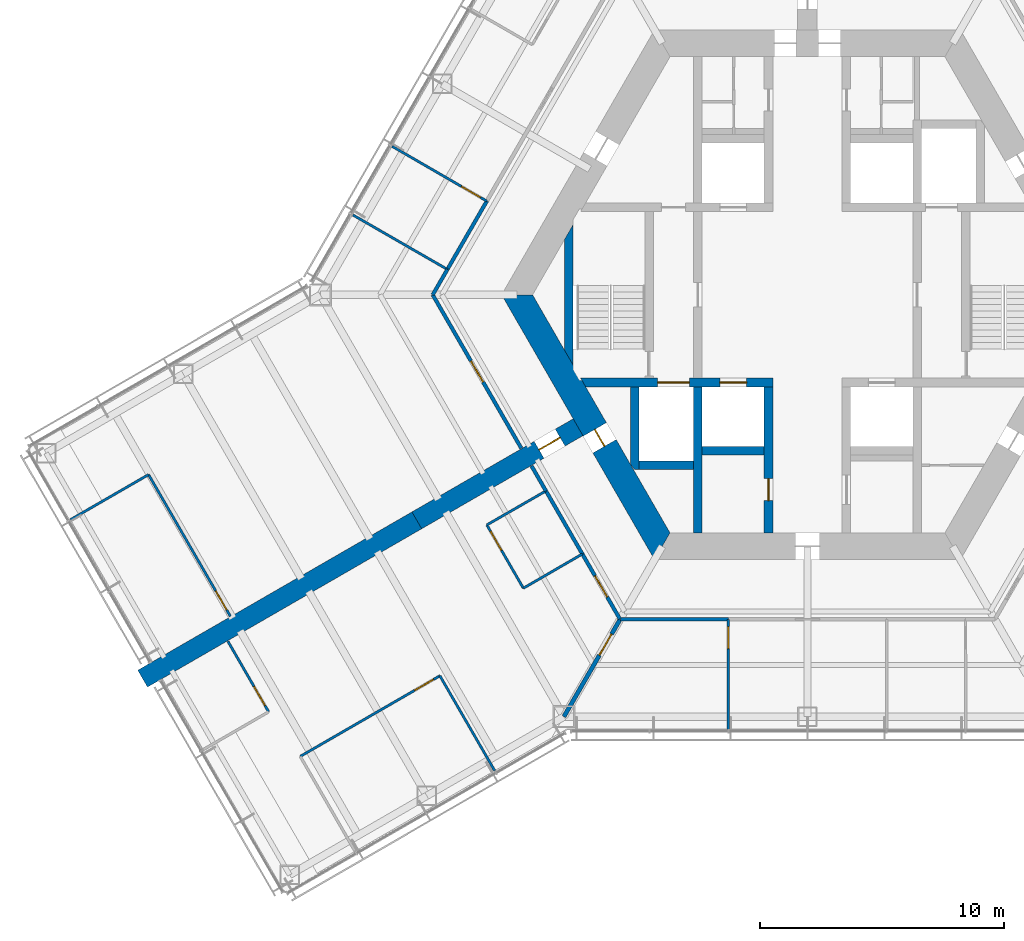
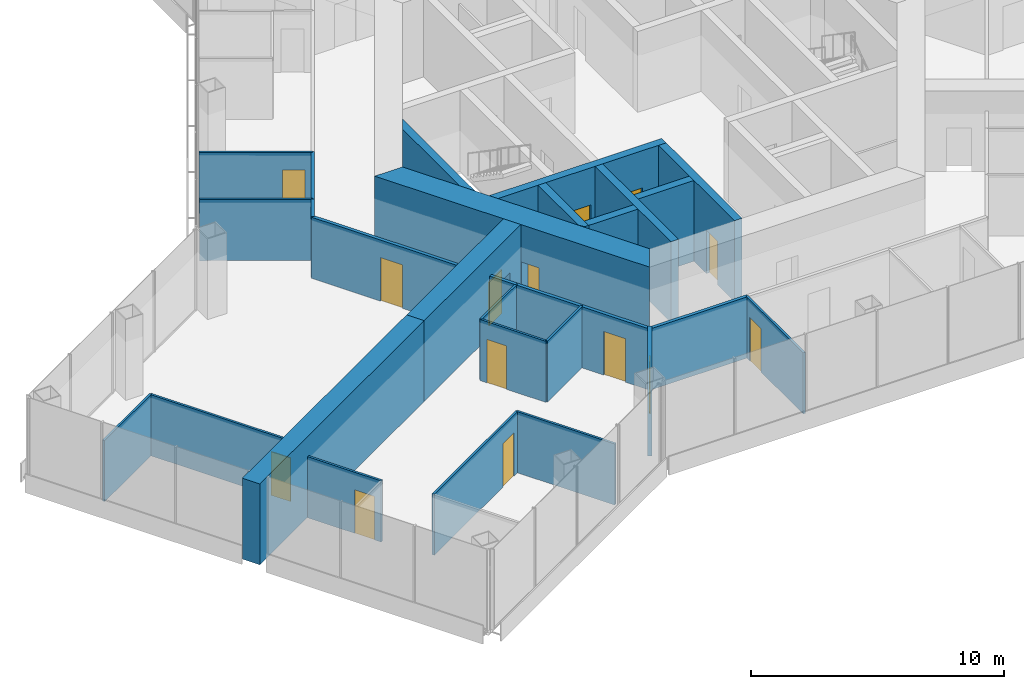
# One storey, part 12 of 19: 29 walls, 14 doors, 14 openings.
"""IFC4 building model written with IfcOpenShell, lengths in metres."""

from ifc_helpers import new_model, si_unit, direction, frame, frame_2d, origin, place, context, subcontext, project, spatial, polyline, rectangle, outline, extrude, material, layer, layer_set, type_object, element, fill, save


model = new_model("IFC4")

# Units and contexts
model_context = context("Model", 3, precision=1e-05, world=origin(), true_north=direction((0.0, 1.0)))
body_context = subcontext(model_context, "Body", "Model", "MODEL_VIEW")
ifc_project = project(units=[si_unit("LENGTHUNIT", "METRE"), si_unit("AREAUNIT", "SQUARE_METRE"), si_unit("VOLUMEUNIT", "CUBIC_METRE"), si_unit("PLANEANGLEUNIT", "RADIAN"), si_unit("MASSUNIT", "GRAM", prefix="KILO")], contexts=[model_context])

# Site, building, storey
site_placement = place(None, origin())
site = spatial("IfcSite", under=ifc_project, at=site_placement, CompositionType="ELEMENT")
building_placement = place(site_placement, origin())
building = spatial("IfcBuilding", under=site, at=building_placement, Name="Kasaneha Research Tower", CompositionType="ELEMENT")
storey_placement = place(building_placement, frame((0.0, 0.0, 88.5)))
storey = spatial("IfcBuildingStorey", under=building, at=storey_placement, Name="L22", CompositionType="ELEMENT", Elevation=88.5)

# Wall, openings, doors
ifc_material_1 = material(Name="Concrete Fc80", Category="concrete")
ifc_layer_1 = layer(ifc_material_1, 0.35009765625)
ifc_layer_set_1 = layer_set([ifc_layer_1], Name="Core internal wall 350 Fc80")
wall_type_1 = type_object("IfcWallType", Name="Core internal wall 350 Fc80", PredefinedType="SHEAR", material=ifc_layer_set_1)
wall_1_placement = place(storey_placement, frame((-9.208740234375, -3.60009765625, 0.0), z_axis=(0.0, 0.0, 1.0), x_axis=(1.0, 0.0, 0.0)))
wall_1 = element("IfcWall", 1, at=wall_1_placement, inside=storey, type_object=wall_type_1, Name="Core wall W2W L22", PredefinedType="SHEAR", context=body_context, shape_type="SweptSolid", body=[
    extrude(outline(polyline([(0.10107421875, -0.175048828125), (3.058837890625, -0.175048828125), (4.35888671875, -0.175048828125), (5.608642578125, -0.175048828125), (6.708740234375, -0.175048828125), (7.78369140625, -0.175048828125), (7.78369140625, 0.175048828125), (6.708740234375, 0.175048828125), (5.608642578125, 0.175048828125), (4.35888671875, 0.175048828125), (3.058837890625, 0.175048828125), (-0.10107421875, 0.175048828125), (0.10107421875, -0.175048828125)])), origin(), (0.0, 0.0, 1.0), 3.89990234375),
])
opening_1_placement = place(wall_1_placement, frame((5.608642578125, 0.0, 0.0)))
opening_1 = element("IfcOpeningElement", 2, at=opening_1_placement, cuts=wall_1, Name="Opening LD-LO2-L22", PredefinedType="OPENING", context=body_context, shape_type="SweptSolid", body=[
    extrude(rectangle(XDim=1.10009765625, YDim=2.10009765625, at=frame_2d((0.550048828125, 1.050048828125))), frame((0.0, 0.18505859375, 0.0), z_axis=(0.0, -1.0, 0.0), x_axis=(1.0, 0.0, 0.0)), (0.0, 0.0, 1.0), 0.3701171875),
])
opening_2_placement = place(wall_1_placement, frame((3.058837890625, 0.0, 0.0)))
opening_2 = element("IfcOpeningElement", 3, at=opening_2_placement, cuts=wall_1, Name="Opening LD-FL2-L22", PredefinedType="OPENING", context=body_context, shape_type="SweptSolid", body=[
    extrude(rectangle(XDim=1.300048828125, YDim=2.10009765625, at=frame_2d((0.64990234375, 1.050048828125))), frame((0.0, 0.18505859375, 0.0), z_axis=(0.0, -1.0, 0.0), x_axis=(1.0, 0.0, 0.0)), (0.0, 0.0, 1.0), 0.3701171875),
])
ifc_material_2 = material(Name="Steel", Category="steel")
door_type_1 = type_object("IfcDoorType", Name="Lift landing door 1100x2100", OperationType="DOUBLE_DOOR_SLIDING", PredefinedType="DOOR", material=ifc_material_2)
door_1_placement = place(opening_1_placement, origin())
door_1 = element("IfcDoor", 4, at=door_1_placement, inside=storey, type_object=door_type_1, Name="Landing door LO2 LD-LO2-L22", OperationType="DOUBLE_DOOR_SLIDING", OverallHeight=2.10009765625, OverallWidth=1.10009765625, PredefinedType="DOOR", context=body_context, shape_type="SweptSolid", body=[
    extrude(rectangle(XDim=1.10009765625, YDim=2.10009765625, at=frame_2d((0.550048828125, 1.050048828125))), frame((0.0, 0.02490234375, 0.0), z_axis=(0.0, -1.0, 0.0), x_axis=(1.0, 0.0, 0.0)), (0.0, 0.0, 1.0), 0.050048828125),
])
fill(opening_1, door_1)
ifc_material_3 = material(Name="Steel", Category="steel")
door_type_2 = type_object("IfcDoorType", Name="Lift landing door 1300x2100", OperationType="DOUBLE_DOOR_SLIDING", PredefinedType="DOOR", material=ifc_material_3)
door_2_placement = place(opening_2_placement, origin())
door_2 = element("IfcDoor", 5, at=door_2_placement, inside=storey, type_object=door_type_2, Name="Landing door FL2 LD-FL2-L22", OperationType="DOUBLE_DOOR_SLIDING", OverallHeight=2.10009765625, OverallWidth=1.300048828125, PredefinedType="DOOR", context=body_context, shape_type="SweptSolid", body=[
    extrude(rectangle(XDim=1.300048828125, YDim=2.10009765625, at=frame_2d((0.64990234375, 1.050048828125))), frame((0.0, 0.02490234375, 0.0), z_axis=(0.0, -1.0, 0.0), x_axis=(1.0, 0.0, 0.0)), (0.0, 0.0, 1.0), 0.050048828125),
])
fill(opening_2, door_2)

# Wall, opening, door
wall_2_placement = place(storey_placement, frame((-1.60009765625, -3.77490234375, 0.0), z_axis=(0.0, 0.0, 1.0), x_axis=(0.0, -1.0, 0.0)))
wall_2 = element("IfcWall", 6, at=wall_2_placement, inside=storey, type_object=wall_type_1, Name="Core wall CSW L22", PredefinedType="SHEAR", context=body_context, shape_type="SweptSolid", body=[
    extrude(rectangle(XDim=6.0, YDim=0.35009765625, at=frame_2d((3.0, 0.0))), origin(), (0.0, 0.0, 1.0), 3.89990234375),
])
opening_3_placement = place(wall_2_placement, frame((3.77490234375, 0.0, 0.0)))
opening_3 = element("IfcOpeningElement", 7, at=opening_3_placement, cuts=wall_2, Name="Opening L22-D16", PredefinedType="OPENING", context=body_context, shape_type="SweptSolid", body=[
    extrude(rectangle(XDim=0.89990234375, YDim=2.10009765625, at=frame_2d((0.449951171875, 1.050048828125))), frame((0.0, 0.18505859375, 0.0), z_axis=(0.0, -1.0, 0.0), x_axis=(1.0, 0.0, 0.0)), (0.0, 0.0, 1.0), 0.3701171875),
])
ifc_material_4 = material(Name="Steel", Category="steel")
door_type_3 = type_object("IfcDoorType", Name="Riser access door FD60 900x2100", OperationType="NOTDEFINED", PredefinedType="DOOR", material=ifc_material_4)
door_3_placement = place(opening_3_placement, origin())
door_3 = element("IfcDoor", 8, at=door_3_placement, inside=storey, type_object=door_type_3, Name="Electrical riser door L22-D16", OperationType="SINGLE_SWING_LEFT", OverallHeight=2.10009765625, OverallWidth=0.89990234375, PredefinedType="DOOR", context=body_context, shape_type="SweptSolid", body=[
    extrude(rectangle(XDim=0.89990234375, YDim=2.10009765625, at=frame_2d((0.449951171875, 1.050048828125))), frame((0.0, 0.02490234375, 0.0), z_axis=(0.0, -1.0, 0.0), x_axis=(1.0, 0.0, 0.0)), (0.0, 0.0, 1.0), 0.050048828125),
])
fill(opening_3, door_3)

# Walls
wall_3_placement = place(storey_placement, frame((-4.5, -3.77490234375, 0.0), z_axis=(0.0, 0.0, 1.0), x_axis=(0.0, -1.0, 0.0)))
element("IfcWall", 9, at=wall_3_placement, inside=storey, type_object=wall_type_1, Name="Core wall SSW L22", PredefinedType="SHEAR", context=body_context, shape_type="SweptSolid", body=[
    extrude(rectangle(XDim=6.0, YDim=0.35009765625, at=frame_2d((3.0, 0.0))), origin(), (0.0, 0.0, 1.0), 3.89990234375),
])
wall_4_placement = place(storey_placement, frame((-4.324951171875, -6.39990234375, 0.0), z_axis=(0.0, 0.0, 1.0), x_axis=(1.0, 0.0, 0.0)))
element("IfcWall", 10, at=wall_4_placement, inside=storey, type_object=wall_type_1, Name="Core wall S1S L22", PredefinedType="SHEAR", context=body_context, shape_type="SweptSolid", body=[
    extrude(rectangle(XDim=2.550048828125, YDim=0.35009765625, at=frame_2d((1.27490234375, 0.0))), origin(), (0.0, 0.0, 1.0), 3.89990234375),
])
wall_5_placement = place(storey_placement, frame((-6.925048828125, -7.0, 0.0), z_axis=(0.0, 0.0, 1.0), x_axis=(1.0, 0.0, 0.0)))
element("IfcWall", 11, at=wall_5_placement, inside=storey, type_object=wall_type_1, Name="Core wall F2S L22", PredefinedType="SHEAR", context=body_context, shape_type="SweptSolid", body=[
    extrude(rectangle(XDim=2.25, YDim=0.35009765625, at=frame_2d((1.125, 0.0))), origin(), (0.0, 0.0, 1.0), 3.89990234375),
])
wall_6_placement = place(storey_placement, frame((-7.10009765625, -3.77490234375, 0.0), z_axis=(0.0, 0.0, 1.0), x_axis=(0.0, -1.0, 0.0)))
element("IfcWall", 12, at=wall_6_placement, inside=storey, type_object=wall_type_1, Name="Core wall F2W L22", PredefinedType="SHEAR", context=body_context, shape_type="SweptSolid", body=[
    extrude(outline(polyline([(0.0, -0.175048828125), (3.174560546875, -0.175048828125), (3.400146484375, 0.0), (3.400146484375, 0.175048828125), (0.0, 0.175048828125), (0.0, -0.175048828125)])), origin(), (0.0, 0.0, 1.0), 3.89990234375),
])
wall_7_placement = place(storey_placement, frame((-9.807861328125, -2.562255859375, 0.0), z_axis=(0.0, 0.0, 1.0), x_axis=(0.0, 1.0, 0.0)))
element("IfcWall", 13, at=wall_7_placement, inside=storey, type_object=wall_type_1, Name="Core wall STW L22", PredefinedType="SHEAR", context=body_context, shape_type="SweptSolid", body=[
    extrude(outline(polyline([(-0.30322265625, -0.175048828125), (5.427734375, -0.175048828125), (4.8212890625, 0.175048828125), (0.30322265625, 0.175048828125), (-0.30322265625, -0.175048828125)])), origin(), (0.0, 0.0, 1.0), 3.89990234375),
])

# Wall, opening, door
ifc_material_5 = material(Name="Concrete Fc80", Category="concrete")
ifc_layer_2 = layer(ifc_material_5, 1.10009765625)
ifc_layer_set_2 = layer_set([ifc_layer_2], Name="Core wall 1100 Fc80")
wall_type_2 = type_object("IfcWallType", Name="Core wall 1100 Fc80", PredefinedType="SHEAR", material=ifc_layer_set_2)
wall_8_placement = place(storey_placement, frame((-11.92236328125, 0.0, 0.0), z_axis=(0.0, 0.0, 1.0), x_axis=(0.500004296715, -0.866022923061, 0.0)))
wall_8 = element("IfcWall", 14, at=wall_8_placement, inside=storey, type_object=wall_type_2, Name="Core wall 210 L22", PredefinedType="SHEAR", context=body_context, shape_type="SweptSolid", body=[
    extrude(outline(polyline([(-0.317626953125, -0.550048828125), (6.381103515625, -0.550048828125), (7.18115234375, -0.550048828125), (12.239990234375, -0.550048828125), (11.604736328125, 0.550048828125), (7.18115234375, 0.550048828125), (6.381103515625, 0.550048828125), (0.317626953125, 0.550048828125), (-0.317626953125, -0.550048828125)])), origin(), (0.0, 0.0, 1.0), 3.89990234375),
])
opening_4_placement = place(wall_8_placement, frame((6.381103515625, 0.0, 0.0)))
opening_4 = element("IfcOpeningElement", 15, at=opening_4_placement, cuts=wall_8, Name="Opening L22-D06", PredefinedType="OPENING", context=body_context, shape_type="SweptSolid", body=[
    extrude(rectangle(XDim=0.800048828125, YDim=2.10009765625, at=frame_2d((0.39990234375, 1.050048828125))), frame((0.0, 0.56005859375, 0.0), z_axis=(0.0, -1.0, 0.0), x_axis=(1.0, 0.0, 0.0)), (0.0, 0.0, 1.0), 1.1201171875),
])
ifc_material_6 = material(Name="Steel", Category="steel")
door_type_4 = type_object("IfcDoorType", Name="Riser access door FD60 800x2100", OperationType="NOTDEFINED", PredefinedType="DOOR", material=ifc_material_6)
door_4_placement = place(opening_4_placement, origin())
door_4 = element("IfcDoor", 16, at=door_4_placement, inside=storey, type_object=door_type_4, Name="Duct riser door L22-D06", OperationType="SINGLE_SWING_RIGHT", OverallHeight=2.10009765625, OverallWidth=0.800048828125, PredefinedType="DOOR", context=body_context, shape_type="SweptSolid", body=[
    extrude(rectangle(XDim=0.800048828125, YDim=2.10009765625, at=frame_2d((0.39990234375, 1.050048828125))), frame((0.0, 0.02490234375, 0.0), z_axis=(0.0, -1.0, 0.0), x_axis=(1.0, 0.0, 0.0)), (0.0, 0.0, 1.0), 0.050048828125),
])
fill(opening_4, door_4)

# Wall
ifc_material_7 = material(Name="Gypsum board on steel studs, one layer each side", Category="steel")
ifc_layer_3 = layer(ifc_material_7, 0.10009765625)
ifc_layer_set_3 = layer_set([ifc_layer_3], Name="Office partition 100")
wall_type_3 = type_object("IfcWallType", Name="Office partition 100", PredefinedType="PARTITIONING", material=ifc_layer_set_3)
wall_9_placement = place(storey_placement, frame((-30.258056640625, -9.232666015625, 0.0), z_axis=(0.0, 0.0, 1.0), x_axis=(0.86601746898, 0.500013743233, 0.0)))
element("IfcWall", 17, at=wall_9_placement, inside=storey, type_object=wall_type_3, Name="Office partition FBN09 L22", PredefinedType="PARTITIONING", context=body_context, shape_type="SweptSolid", body=[
    extrude(rectangle(XDim=3.7001953125, YDim=0.10009765625, at=frame_2d((1.85009765625, 0.0))), origin(), (0.0, 0.0, 1.0), 2.949951171875),
])

# Wall, opening, door
wall_10_placement = place(storey_placement, frame((-27.0537109375, -7.382568359375, 0.0), z_axis=(0.0, 0.0, 1.0), x_axis=(0.499999473313, -0.866025707867, 0.0)))
wall_10 = element("IfcWall", 18, at=wall_10_placement, inside=storey, type_object=wall_type_3, Name="Office partition FBN10 L22", PredefinedType="PARTITIONING", context=body_context, shape_type="SweptSolid", body=[
    extrude(rectangle(XDim=6.71337890625, YDim=0.10009765625, at=frame_2d((3.356689453125, 0.0))), origin(), (0.0, 0.0, 1.0), 2.949951171875),
])
opening_5_placement = place(wall_10_placement, frame((5.513427734375, 0.0, 0.0)))
opening_5 = element("IfcOpeningElement", 19, at=opening_5_placement, cuts=wall_10, Name="Opening L22-D42", PredefinedType="OPENING", context=body_context, shape_type="SweptSolid", body=[
    extrude(rectangle(XDim=0.89990234375, YDim=2.10009765625, at=frame_2d((0.449951171875, 1.050048828125))), frame((0.0, 0.06005859375, 0.0), z_axis=(0.0, -1.0, 0.0), x_axis=(1.0, 0.0, 0.0)), (0.0, 0.0, 1.0), 0.1201171875),
])
ifc_material_8 = material(Name="Timber veneer", Category="wood")
door_type_5 = type_object("IfcDoorType", Name="Office door 900x2100", OperationType="SINGLE_SWING_LEFT", PredefinedType="DOOR", material=ifc_material_8)
door_5_placement = place(opening_5_placement, origin())
door_5 = element("IfcDoor", 20, at=door_5_placement, inside=storey, type_object=door_type_5, Name="Meeting room door L22-D42", OperationType="SINGLE_SWING_RIGHT", OverallHeight=2.10009765625, OverallWidth=0.89990234375, PredefinedType="DOOR", context=body_context, shape_type="SweptSolid", body=[
    extrude(rectangle(XDim=0.89990234375, YDim=2.10009765625, at=frame_2d((0.449951171875, 1.050048828125))), frame((0.0, 0.02490234375, 0.0), z_axis=(0.0, -1.0, 0.0), x_axis=(1.0, 0.0, 0.0)), (0.0, 0.0, 1.0), 0.050048828125),
])
fill(opening_5, door_5)

# Wall
wall_11_placement = place(storey_placement, frame((-14.783935546875, 1.04345703125, 0.0), z_axis=(0.0, 0.0, 1.0), x_axis=(-0.866525943689, 0.499132035552, 0.0)))
element("IfcWall", 21, at=wall_11_placement, inside=storey, type_object=wall_type_3, Name="Office partition FBN11 L22", PredefinedType="PARTITIONING", context=body_context, shape_type="SweptSolid", body=[
    extrude(rectangle(XDim=4.4755859375, YDim=0.10009765625, at=frame_2d((2.23779296875, 0.0))), origin(), (0.0, 0.0, 1.0), 2.949951171875),
])

# Wall, opening, door
wall_12_placement = place(storey_placement, frame((-17.05615234375, 6.098876953125, 0.0), z_axis=(0.0, 0.0, 1.0), x_axis=(0.865513030745, -0.500886407891, 0.0)))
wall_12 = element("IfcWall", 22, at=wall_12_placement, inside=storey, type_object=wall_type_3, Name="Office partition FBN12 L22", PredefinedType="PARTITIONING", context=body_context, shape_type="SweptSolid", body=[
    extrude(rectangle(XDim=4.495361328125, YDim=0.10009765625, at=frame_2d((2.24755859375, 0.0))), origin(), (0.0, 0.0, 1.0), 2.949951171875),
])
opening_6_placement = place(wall_12_placement, frame((3.295654296875, 0.0, 0.0)))
opening_6 = element("IfcOpeningElement", 23, at=opening_6_placement, cuts=wall_12, Name="Opening L22-D43", PredefinedType="OPENING", context=body_context, shape_type="SweptSolid", body=[
    extrude(rectangle(XDim=0.89990234375, YDim=2.10009765625, at=frame_2d((0.449951171875, 1.050048828125))), frame((0.0, 0.06005859375, 0.0), z_axis=(0.0, -1.0, 0.0), x_axis=(1.0, 0.0, 0.0)), (0.0, 0.0, 1.0), 0.1201171875),
])
door_6_placement = place(opening_6_placement, origin())
door_6 = element("IfcDoor", 24, at=door_6_placement, inside=storey, type_object=door_type_5, Name="Project room door L22-D43", OperationType="SINGLE_SWING_RIGHT", OverallHeight=2.10009765625, OverallWidth=0.89990234375, PredefinedType="DOOR", context=body_context, shape_type="SweptSolid", body=[
    extrude(rectangle(XDim=0.89990234375, YDim=2.10009765625, at=frame_2d((0.449951171875, 1.050048828125))), frame((0.0, 0.02490234375, 0.0), z_axis=(0.0, -1.0, 0.0), x_axis=(1.0, 0.0, 0.0)), (0.0, 0.0, 1.0), 0.050048828125),
])
fill(opening_6, door_6)

wall_13_placement = place(storey_placement, frame((-20.824951171875, -18.951416015625, 0.0), z_axis=(0.0, 0.0, 1.0), x_axis=(0.866021597574, 0.500006592492, 0.0)))
wall_13 = element("IfcWall", 25, at=wall_13_placement, inside=storey, type_object=wall_type_3, Name="Office partition FBS04 L22", PredefinedType="PARTITIONING", context=body_context, shape_type="SweptSolid", body=[
    extrude(rectangle(XDim=6.61962890625, YDim=0.10009765625, at=frame_2d((3.309814453125, 0.0))), origin(), (0.0, 0.0, 1.0), 2.949951171875),
])
opening_7_placement = place(wall_13_placement, frame((5.419677734375, 0.0, 0.0)))
opening_7 = element("IfcOpeningElement", 26, at=opening_7_placement, cuts=wall_13, Name="Opening L22-D46", PredefinedType="OPENING", context=body_context, shape_type="SweptSolid", body=[
    extrude(rectangle(XDim=0.89990234375, YDim=2.10009765625, at=frame_2d((0.449951171875, 1.050048828125))), frame((0.0, 0.06005859375, 0.0), z_axis=(0.0, -1.0, 0.0), x_axis=(1.0, 0.0, 0.0)), (0.0, 0.0, 1.0), 0.1201171875),
])
door_7_placement = place(opening_7_placement, origin())
door_7 = element("IfcDoor", 27, at=door_7_placement, inside=storey, type_object=door_type_5, Name="Project room door L22-D46", OperationType="SINGLE_SWING_RIGHT", OverallHeight=2.10009765625, OverallWidth=0.89990234375, PredefinedType="DOOR", context=body_context, shape_type="SweptSolid", body=[
    extrude(rectangle(XDim=0.89990234375, YDim=2.10009765625, at=frame_2d((0.449951171875, 1.050048828125))), frame((0.0, 0.02490234375, 0.0), z_axis=(0.0, -1.0, 0.0), x_axis=(1.0, 0.0, 0.0)), (0.0, 0.0, 1.0), 0.050048828125),
])
fill(opening_7, door_7)

# Walls
wall_14_placement = place(storey_placement, frame((-15.09228515625, -15.6416015625, 0.0), z_axis=(0.0, 0.0, 1.0), x_axis=(0.499990139034, -0.866031096941, 0.0)))
element("IfcWall", 28, at=wall_14_placement, inside=storey, type_object=wall_type_3, Name="Office partition FBS06 L22", PredefinedType="PARTITIONING", context=body_context, shape_type="SweptSolid", body=[
    extrude(rectangle(XDim=4.5, YDim=0.10009765625, at=frame_2d((2.25, 0.0))), origin(), (0.0, 0.0, 1.0), 2.949951171875),
])
wall_15_placement = place(storey_placement, frame((-13.164794921875, -9.447998046875, 0.0), z_axis=(0.0, 0.0, 1.0), x_axis=(0.866855433567, 0.498559582492, 0.0)))
element("IfcWall", 29, at=wall_15_placement, inside=storey, type_object=wall_type_3, Name="Office partition FBS07 L22", PredefinedType="PARTITIONING", context=body_context, shape_type="SweptSolid", body=[
    extrude(rectangle(XDim=2.800048828125, YDim=0.10009765625, at=frame_2d((1.39990234375, 0.0))), origin(), (0.0, 0.0, 1.0), 2.949951171875),
])

# Wall, opening, door
wall_16_placement = place(storey_placement, frame((-11.664794921875, -12.046142578125, 0.0), z_axis=(0.0, 0.0, 1.0), x_axis=(-0.499990139034, 0.866031096941, 0.0)))
wall_16 = element("IfcWall", 30, at=wall_16_placement, inside=storey, type_object=wall_type_3, Name="Office partition FBS08 L22", PredefinedType="PARTITIONING", context=body_context, shape_type="SweptSolid", body=[
    extrude(rectangle(XDim=3.0, YDim=0.10009765625, at=frame_2d((1.5, 0.0))), origin(), (0.0, 0.0, 1.0), 2.949951171875),
])
opening_8_placement = place(wall_16_placement, frame((1.800048828125, 0.0, 0.0)))
opening_8 = element("IfcOpeningElement", 31, at=opening_8_placement, cuts=wall_16, Name="Opening L22-D47", PredefinedType="OPENING", context=body_context, shape_type="SweptSolid", body=[
    extrude(rectangle(XDim=0.89990234375, YDim=2.10009765625, at=frame_2d((0.449951171875, 1.050048828125))), frame((0.0, 0.06005859375, 0.0), z_axis=(0.0, -1.0, 0.0), x_axis=(1.0, 0.0, 0.0)), (0.0, 0.0, 1.0), 0.1201171875),
])
door_8_placement = place(opening_8_placement, origin())
door_8 = element("IfcDoor", 32, at=door_8_placement, inside=storey, type_object=door_type_5, Name="Pantry door L22-D47", OperationType="SINGLE_SWING_RIGHT", OverallHeight=2.10009765625, OverallWidth=0.89990234375, PredefinedType="DOOR", context=body_context, shape_type="SweptSolid", body=[
    extrude(rectangle(XDim=0.89990234375, YDim=2.10009765625, at=frame_2d((0.449951171875, 1.050048828125))), frame((0.0, 0.02490234375, 0.0), z_axis=(0.0, -1.0, 0.0), x_axis=(1.0, 0.0, 0.0)), (0.0, 0.0, 1.0), 0.050048828125),
])
fill(opening_8, door_8)

# Wall
wall_17_placement = place(storey_placement, frame((-9.241943359375, -10.642333984375, 0.0), z_axis=(0.0, 0.0, 1.0), x_axis=(-0.865255114713, -0.501331812737, 0.0)))
element("IfcWall", 33, at=wall_17_placement, inside=storey, type_object=wall_type_3, Name="Office partition FBS09 L22", PredefinedType="PARTITIONING", context=body_context, shape_type="SweptSolid", body=[
    extrude(rectangle(XDim=2.800048828125, YDim=0.10009765625, at=frame_2d((1.39990234375, 0.0))), origin(), (0.0, 0.0, 1.0), 2.949951171875),
])

# Wall, opening, door
wall_18_placement = place(storey_placement, frame((-23.796630859375, -14.22412109375, 0.0), z_axis=(0.0, 0.0, 1.0), x_axis=(0.500015043844, -0.866016718043, 0.0)))
wall_18 = element("IfcWall", 34, at=wall_18_placement, inside=storey, type_object=wall_type_3, Name="Office partition FBS10 L22", PredefinedType="PARTITIONING", context=body_context, shape_type="SweptSolid", body=[
    extrude(rectangle(XDim=3.3466796875, YDim=0.10009765625, at=frame_2d((1.67333984375, 0.0))), origin(), (0.0, 0.0, 1.0), 2.949951171875),
])
opening_9_placement = place(wall_18_placement, frame((2.146728515625, 0.0, 0.0)))
opening_9 = element("IfcOpeningElement", 35, at=opening_9_placement, cuts=wall_18, Name="Opening L22-D48", PredefinedType="OPENING", context=body_context, shape_type="SweptSolid", body=[
    extrude(rectangle(XDim=0.89990234375, YDim=2.10009765625, at=frame_2d((0.449951171875, 1.050048828125))), frame((0.0, 0.06005859375, 0.0), z_axis=(0.0, -1.0, 0.0), x_axis=(1.0, 0.0, 0.0)), (0.0, 0.0, 1.0), 0.1201171875),
])
door_9_placement = place(opening_9_placement, origin())
door_9 = element("IfcDoor", 36, at=door_9_placement, inside=storey, type_object=door_type_5, Name="Phone room door L22-D48", OperationType="SINGLE_SWING_RIGHT", OverallHeight=2.10009765625, OverallWidth=0.89990234375, PredefinedType="DOOR", context=body_context, shape_type="SweptSolid", body=[
    extrude(rectangle(XDim=0.89990234375, YDim=2.10009765625, at=frame_2d((0.449951171875, 1.050048828125))), frame((0.0, 0.02490234375, 0.0), z_axis=(0.0, -1.0, 0.0), x_axis=(1.0, 0.0, 0.0)), (0.0, 0.0, 1.0), 0.050048828125),
])
fill(opening_9, door_9)

wall_19_placement = place(storey_placement, frame((-3.2509765625, -13.324951171875, 0.0), z_axis=(0.0, 0.0, 1.0), x_axis=(0.001026139015, -0.999999473519, 0.0)))
wall_19 = element("IfcWall", 37, at=wall_19_placement, inside=storey, type_object=wall_type_3, Name="Office partition FCS11 L22", PredefinedType="PARTITIONING", context=body_context, shape_type="SweptSolid", body=[
    extrude(rectangle(XDim=4.5205078125, YDim=0.10009765625, at=frame_2d((2.26025390625, 0.0))), origin(), (0.0, 0.0, 1.0), 2.949951171875),
])
opening_10_placement = place(wall_19_placement, frame((0.300048828125, 0.0, 0.0)))
opening_10 = element("IfcOpeningElement", 38, at=opening_10_placement, cuts=wall_19, Name="Opening L22-D54", PredefinedType="OPENING", context=body_context, shape_type="SweptSolid", body=[
    extrude(rectangle(XDim=0.89990234375, YDim=2.10009765625, at=frame_2d((0.449951171875, 1.050048828125))), frame((0.0, 0.06005859375, 0.0), z_axis=(0.0, -1.0, 0.0), x_axis=(1.0, 0.0, 0.0)), (0.0, 0.0, 1.0), 0.1201171875),
])
door_10_placement = place(opening_10_placement, origin())
door_10 = element("IfcDoor", 39, at=door_10_placement, inside=storey, type_object=door_type_5, Name="Manager's office door L22-D54", OperationType="SINGLE_SWING_LEFT", OverallHeight=2.10009765625, OverallWidth=0.89990234375, PredefinedType="DOOR", context=body_context, shape_type="SweptSolid", body=[
    extrude(rectangle(XDim=0.89990234375, YDim=2.10009765625, at=frame_2d((0.449951171875, 1.050048828125))), frame((0.0, 0.02490234375, 0.0), z_axis=(0.0, -1.0, 0.0), x_axis=(1.0, 0.0, 0.0)), (0.0, 0.0, 1.0), 0.050048828125),
])
fill(opening_10, door_10)

ifc_material_9 = material(Name="Concrete Fc80", Category="concrete")
ifc_layer_4 = layer(ifc_material_9, 0.800048828125)
ifc_layer_set_4 = layer_set([ifc_layer_4], Name="Spine wall 800 Fc80")
wall_type_4 = type_object("IfcWallType", Name="Spine wall 800 Fc80", PredefinedType="SHEAR", material=ifc_layer_set_4)
wall_20_placement = place(storey_placement, frame((-9.41796875, -5.4375, 0.0), z_axis=(0.0, 0.0, 1.0), x_axis=(-0.866029782078, -0.499992416496, 0.0)))
wall_20 = element("IfcWall", 40, at=wall_20_placement, inside=storey, type_object=wall_type_4, Name="Spine wall B L22", PredefinedType="SHEAR", context=body_context, shape_type="SweptSolid", body=[
    extrude(rectangle(XDim=7.6455078125, YDim=0.800048828125, at=frame_2d((3.82275390625, 0.0))), origin(), (0.0, 0.0, 1.0), 3.89990234375),
])
opening_11_placement = place(wall_20_placement, frame((0.85009765625, 0.0, 0.0)))
opening_11 = element("IfcOpeningElement", 41, at=opening_11_placement, cuts=wall_20, Name="Opening L22-D18", PredefinedType="OPENING", context=body_context, shape_type="SweptSolid", body=[
    extrude(rectangle(XDim=1.0, YDim=2.10009765625, at=frame_2d((0.5, 1.050048828125))), frame((0.0, 0.41015625, 0.0), z_axis=(0.0, -1.0, 0.0), x_axis=(1.0, 0.0, 0.0)), (0.0, 0.0, 1.0), 0.820068359375),
])
ifc_material_10 = material(Name="Steel", Category="steel")
door_type_6 = type_object("IfcDoorType", Name="Specified fire door FD60 1000x2100", OperationType="NOTDEFINED", PredefinedType="DOOR", material=ifc_material_10)
door_11_placement = place(opening_11_placement, origin())
door_11 = element("IfcDoor", 42, at=door_11_placement, inside=storey, type_object=door_type_6, Name="Spine doorway B L22-D18", OperationType="SINGLE_SWING_LEFT", OverallHeight=2.10009765625, OverallWidth=1.0, PredefinedType="DOOR", context=body_context, shape_type="SweptSolid", body=[
    extrude(rectangle(XDim=1.0, YDim=2.10009765625, at=frame_2d((0.5, 1.050048828125))), frame((0.0, 0.02490234375, 0.0), z_axis=(0.0, -1.0, 0.0), x_axis=(1.0, 0.0, 0.0)), (0.0, 0.0, 1.0), 0.050048828125),
])
fill(opening_11, door_11)

# Walls
wall_21_placement = place(storey_placement, frame((-16.039306640625, -9.26025390625, 0.0), z_axis=(0.0, 0.0, 1.0), x_axis=(-0.866024837091, -0.50000098154, 0.0)))
element("IfcWall", 43, at=wall_21_placement, inside=storey, type_object=wall_type_4, Name="Spine wall B wing L22", PredefinedType="SHEAR", context=body_context, shape_type="SweptSolid", body=[
    extrude(rectangle(XDim=13.0, YDim=0.800048828125, at=frame_2d((6.5, 0.0))), origin(), (0.0, 0.0, 1.0), 3.89990234375),
])
ifc_material_11 = material(Name="Gypsum board on steel studs, two layers each side", Category="steel")
ifc_layer_5 = layer(ifc_material_11, 0.14990234375)
ifc_layer_set_5 = layer_set([ifc_layer_5], Name="Suite partition 150")
wall_type_5 = type_object("IfcWallType", Name="Suite partition 150", PredefinedType="PARTITIONING", material=ifc_layer_set_5)
wall_22_placement = place(storey_placement, frame((-14.788818359375, 1.03515625, 0.0), z_axis=(0.0, 0.0, 1.0), x_axis=(0.500025283505, 0.866010805854, 0.0)))
element("IfcWall", 44, at=wall_22_placement, inside=storey, type_object=wall_type_5, Name="Suite partition FBN01 L22", PredefinedType="PARTITIONING", context=body_context, shape_type="SweptSolid", body=[
    extrude(rectangle(XDim=3.256591796875, YDim=0.14990234375, at=frame_2d((1.62841796875, 0.0))), origin(), (0.0, 0.0, 1.0), 2.949951171875),
])
wall_23_placement = place(storey_placement, frame((-15.386474609375, 0.0, 0.0), z_axis=(0.0, 0.0, 1.0), x_axis=(0.500061536317, 0.86598987286, 0.0)))
element("IfcWall", 45, at=wall_23_placement, inside=storey, type_object=wall_type_5, Name="Suite partition FBN03 L22", PredefinedType="PARTITIONING", context=body_context, shape_type="SweptSolid", body=[
    extrude(rectangle(XDim=1.204833984375, YDim=0.14990234375, at=frame_2d((0.6025390625, 0.0))), origin(), (0.0, 0.0, 1.0), 2.949951171875),
])

# Wall, opening, door
wall_24_placement = place(storey_placement, frame((-11.749755859375, -6.298828125, 0.0), z_axis=(0.0, 0.0, 1.0), x_axis=(-0.500009139881, 0.866020126807, 0.0)))
wall_24 = element("IfcWall", 46, at=wall_24_placement, inside=storey, type_object=wall_type_5, Name="Suite partition FBN04 L22", PredefinedType="PARTITIONING", context=body_context, shape_type="SweptSolid", body=[
    extrude(rectangle(XDim=7.273193359375, YDim=0.14990234375, at=frame_2d((3.63671875, 0.0))), origin(), (0.0, 0.0, 1.0), 2.949951171875),
])
opening_12_placement = place(wall_24_placement, frame((3.13671875, 0.0, 0.0)))
opening_12 = element("IfcOpeningElement", 47, at=opening_12_placement, cuts=wall_24, Name="Opening L22-D39", PredefinedType="OPENING", context=body_context, shape_type="SweptSolid", body=[
    extrude(rectangle(XDim=1.0, YDim=2.10009765625, at=frame_2d((0.5, 1.050048828125))), frame((0.0, 0.0849609375, 0.0), z_axis=(0.0, -1.0, 0.0), x_axis=(1.0, 0.0, 0.0)), (0.0, 0.0, 1.0), 0.169921875),
])
ifc_material_12 = material(Name="Steel", Category="steel")
door_type_7 = type_object("IfcDoorType", Name="Suite entrance door FD60 1000x2100", OperationType="NOTDEFINED", PredefinedType="DOOR", material=ifc_material_12)
door_12_placement = place(opening_12_placement, origin())
door_12 = element("IfcDoor", 48, at=door_12_placement, inside=storey, type_object=door_type_7, Name="Suite entrance door L22-D39", OperationType="SINGLE_SWING_RIGHT", OverallHeight=2.10009765625, OverallWidth=1.0, PredefinedType="DOOR", context=body_context, shape_type="SweptSolid", body=[
    extrude(rectangle(XDim=1.0, YDim=2.10009765625, at=frame_2d((0.5, 1.050048828125))), frame((0.0, 0.02490234375, 0.0), z_axis=(0.0, -1.0, 0.0), x_axis=(1.0, 0.0, 0.0)), (0.0, 0.0, 1.0), 0.050048828125),
])
fill(opening_12, door_12)

# Walls
wall_25_placement = place(storey_placement, frame((-9.2373046875, -10.650390625, 0.0), z_axis=(0.0, 0.0, 1.0), x_axis=(-0.499977562641, 0.866038357612, 0.0)))
element("IfcWall", 49, at=wall_25_placement, inside=storey, type_object=wall_type_5, Name="Suite partition FBS01 L22", PredefinedType="PARTITIONING", context=body_context, shape_type="SweptSolid", body=[
    extrude(rectangle(XDim=3.010009765625, YDim=0.14990234375, at=frame_2d((1.5048828125, 0.0))), origin(), (0.0, 0.0, 1.0), 2.949951171875),
])
wall_26_placement = place(storey_placement, frame((-10.737548828125, -8.052001953125, 0.0), z_axis=(0.0, 0.0, 1.0), x_axis=(-0.499996007168, 0.866027709035, 0.0)))
element("IfcWall", 50, at=wall_26_placement, inside=storey, type_object=wall_type_5, Name="Suite partition FBS02 L22", PredefinedType="PARTITIONING", context=body_context, shape_type="SweptSolid", body=[
    extrude(rectangle(XDim=1.1845703125, YDim=0.14990234375, at=frame_2d((0.59228515625, 0.0))), origin(), (0.0, 0.0, 1.0), 2.949951171875),
])

# Wall, opening, door
wall_27_placement = place(storey_placement, frame((-7.70458984375, -13.304931640625, 0.0), z_axis=(0.0, 0.0, 1.0), x_axis=(-0.500024891708, 0.866011032073, 0.0)))
wall_27 = element("IfcWall", 51, at=wall_27_placement, inside=storey, type_object=wall_type_5, Name="Suite partition FBS03 L22", PredefinedType="PARTITIONING", context=body_context, shape_type="SweptSolid", body=[
    extrude(rectangle(XDim=3.074462890625, YDim=0.14990234375, at=frame_2d((1.537109375, 0.0))), origin(), (0.0, 0.0, 1.0), 2.949951171875),
])
opening_13_placement = place(wall_27_placement, frame((1.037353515625, 0.0, 0.0)))
opening_13 = element("IfcOpeningElement", 52, at=opening_13_placement, cuts=wall_27, Name="Opening L22-D45", PredefinedType="OPENING", context=body_context, shape_type="SweptSolid", body=[
    extrude(rectangle(XDim=1.0, YDim=2.10009765625, at=frame_2d((0.5, 1.050048828125))), frame((0.0, 0.0849609375, 0.0), z_axis=(0.0, -1.0, 0.0), x_axis=(1.0, 0.0, 0.0)), (0.0, 0.0, 1.0), 0.169921875),
])
door_13_placement = place(opening_13_placement, origin())
door_13 = element("IfcDoor", 53, at=door_13_placement, inside=storey, type_object=door_type_7, Name="Suite entrance door L22-D45", OperationType="SINGLE_SWING_RIGHT", OverallHeight=2.10009765625, OverallWidth=1.0, PredefinedType="DOOR", context=body_context, shape_type="SweptSolid", body=[
    extrude(rectangle(XDim=1.0, YDim=2.10009765625, at=frame_2d((0.5, 1.050048828125))), frame((0.0, 0.02490234375, 0.0), z_axis=(0.0, -1.0, 0.0), x_axis=(1.0, 0.0, 0.0)), (0.0, 0.0, 1.0), 0.050048828125),
])
fill(opening_13, door_13)

# Wall
wall_28_placement = place(storey_placement, frame((-3.241455078125, -13.324951171875, 0.0), z_axis=(0.0, 0.0, 1.0), x_axis=(-1.0, 0.0, 0.0)))
element("IfcWall", 54, at=wall_28_placement, inside=storey, type_object=wall_type_5, Name="Suite partition FCS02 L22", PredefinedType="PARTITIONING", context=body_context, shape_type="SweptSolid", body=[
    extrude(rectangle(XDim=4.4287109375, YDim=0.14990234375, at=frame_2d((2.21435546875, 0.0))), origin(), (0.0, 0.0, 1.0), 2.949951171875),
])

# Wall, opening, door
ifc_material_13 = material(Name="Gypsum board on steel studs, two layers each side", Category="steel")
ifc_layer_6 = layer(ifc_material_13, 0.175048828125)
ifc_layer_set_6 = layer_set([ifc_layer_6], Name="Tenancy fire partition 175")
wall_type_6 = type_object("IfcWallType", Name="Tenancy fire partition 175", PredefinedType="PARTITIONING", material=ifc_layer_set_6)
wall_29_placement = place(storey_placement, frame((-7.693115234375, -13.324951171875, 0.0), z_axis=(0.0, 0.0, 1.0), x_axis=(-0.500003393015, -0.866023444818, 0.0)))
wall_29 = element("IfcWall", 55, at=wall_29_placement, inside=storey, type_object=wall_type_6, Name="Tenancy fire partition T240 L22", PredefinedType="PARTITIONING", context=body_context, shape_type="SweptSolid", body=[
    extrude(rectangle(XDim=4.61376953125, YDim=0.175048828125, at=frame_2d((2.306884765625, 0.0))), origin(), (0.0, 0.0, 1.0), 3.050048828125),
])
opening_14_placement = place(wall_29_placement, frame((0.699951171875, 0.0, 0.0)))
opening_14 = element("IfcOpeningElement", 56, at=opening_14_placement, cuts=wall_29, Name="Opening L22-D27", PredefinedType="OPENING", context=body_context, shape_type="SweptSolid", body=[
    extrude(rectangle(XDim=1.0, YDim=2.10009765625, at=frame_2d((0.5, 1.050048828125))), frame((0.0, 0.09765625, 0.0), z_axis=(0.0, -1.0, 0.0), x_axis=(1.0, 0.0, 0.0)), (0.0, 0.0, 1.0), 0.195068359375),
])
door_14_placement = place(opening_14_placement, origin())
door_14 = element("IfcDoor", 57, at=door_14_placement, inside=storey, type_object=door_type_7, Name="Connecting door L22-D27", OperationType="SINGLE_SWING_LEFT", OverallHeight=2.10009765625, OverallWidth=1.0, PredefinedType="DOOR", context=body_context, shape_type="SweptSolid", body=[
    extrude(rectangle(XDim=1.0, YDim=2.10009765625, at=frame_2d((0.5, 1.050048828125))), frame((0.0, 0.02490234375, 0.0), z_axis=(0.0, -1.0, 0.0), x_axis=(1.0, 0.0, 0.0)), (0.0, 0.0, 1.0), 0.050048828125),
])
fill(opening_14, door_14)

save(model, "model.ifc")
